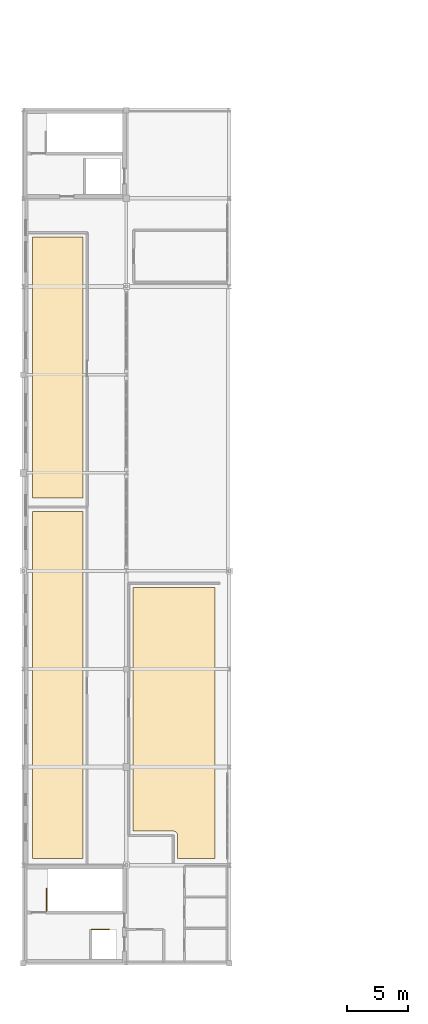
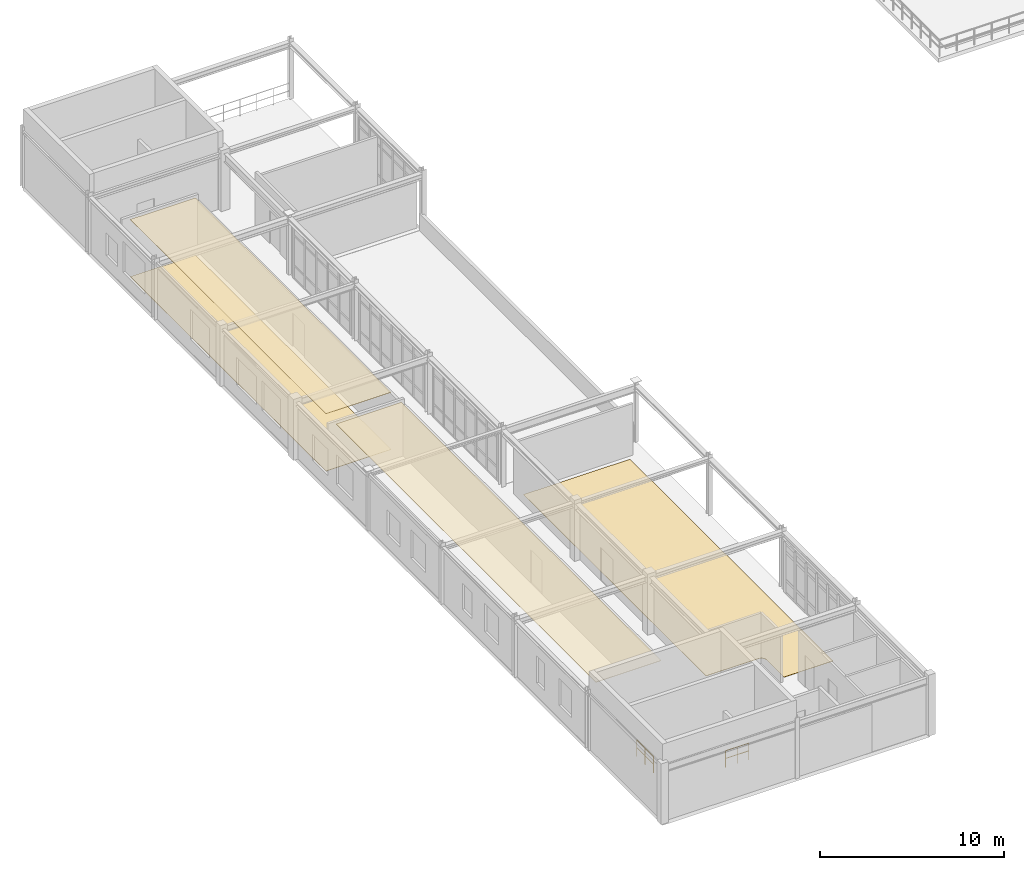
# One storey, part 55 of 58: 4 coverings, 2 railings.
"""IFC4 building model written with IfcOpenShell, lengths in metres."""

import ifcopenshell
import ifcopenshell.guid

model = None  # the IFC model being written
_history = None  # IfcOwnerHistory: only IFC2X3 demands one
_inside = {}  # id of a spatial element -> (the spatial element, [elements in it])
_under = {}  # id of a project, library or spatial element -> (it, [spatial elements below it])
_declared = {}  # id of a project -> (the project, [libraries it declares])
_typed = {}  # id of a type object -> (the type object, [elements of that type])
_made_of = {}  # id of a material, layer set ... -> (it, [elements and type objects made of it])


def new_model(schema):
    """Start an empty IFC model of exactly this schema.

    Asked for "IFC4X3", IfcOpenShell would pick the latest addendum, in which some entities
    have other attributes; the version numbers below select the first issue.
    IFC2X3 requires an IfcOwnerHistory on every rooted entity: one is made here for all.
    """
    global model, _history
    if schema == "IFC4X3":
        model = ifcopenshell.file(schema_version=(4, 3, 0, 0))
    else:
        model = ifcopenshell.file(schema=schema)
    _inside.clear()
    _under.clear()
    _declared.clear()
    _typed.clear()
    _made_of.clear()
    _history = None
    if model.schema == "IFC2X3":
        org = make("IfcOrganization", Name="unknown")
        user = make(
            "IfcPersonAndOrganization",
            ThePerson=make("IfcPerson", FamilyName="unknown"),
            TheOrganization=org,
        )
        app = make(
            "IfcApplication",
            ApplicationDeveloper=org,
            Version="unknown",
            ApplicationFullName="unknown",
            ApplicationIdentifier="unknown",
        )
        _history = make(
            "IfcOwnerHistory",
            OwningUser=user,
            OwningApplication=app,
            ChangeAction="ADDED",
            CreationDate=0,
        )
    return model


def make(cls, **values):
    """One entity of the class cls with the attributes given. An attribute that is None is left unset."""
    return model.create_entity(
        cls, **{name: value for name, value in values.items() if value is not None}
    )


def rooted(cls, **values):
    """An entity with a GlobalId (a new one), such as an element, a storey or a relation."""
    return make(cls, GlobalId=ifcopenshell.guid.new(), OwnerHistory=_history, **values)


def si_unit(unit_type, name, prefix=None):
    """IfcSIUnit, for example si_unit("LENGTHUNIT", "METRE", prefix="MILLI")."""
    return make("IfcSIUnit", UnitType=unit_type, Prefix=prefix, Name=name)


def derived_unit(unit_type, elements):
    """IfcDerivedUnit: a product of units, each with its exponent."""
    return make(
        "IfcDerivedUnit",
        Elements=[
            make("IfcDerivedUnitElement", Unit=unit, Exponent=power)
            for unit, power in elements
        ],
        UnitType=unit_type,
    )


def assignment(units):
    """IfcUnitAssignment: the units of a project."""
    return None if units is None else make("IfcUnitAssignment", Units=units)


def point(xyz):
    """IfcCartesianPoint."""
    return None if xyz is None else make("IfcCartesianPoint", Coordinates=xyz)


def direction(xyz):
    """IfcDirection."""
    return None if xyz is None else make("IfcDirection", DirectionRatios=xyz)


def frame(location, z_axis=None, x_axis=None):
    """IfcAxis2Placement3D, a coordinate frame: its origin and axes. An axis left out is left unset."""
    return make(
        "IfcAxis2Placement3D",
        Location=point(location),
        Axis=direction(z_axis),
        RefDirection=direction(x_axis),
    )


def frame_2d(location, x_axis=None):
    """IfcAxis2Placement2D, a coordinate frame in the plane: its origin and x axis."""
    return make(
        "IfcAxis2Placement2D", Location=point(location), RefDirection=direction(x_axis)
    )


def origin():
    """The frame at (0, 0, 0) with its axes left unset."""
    return frame((0.0, 0.0, 0.0))


def origin_2d():
    """The frame at (0, 0) in the plane with its x axis left unset."""
    return frame_2d((0.0, 0.0))


def place(relative_to, where):
    """IfcLocalPlacement: puts the frame where relative to a parent placement (None: the world)."""
    return make(
        "IfcLocalPlacement", PlacementRelTo=relative_to, RelativePlacement=where
    )


def context(
    kind, dimensions, precision=None, world=None, true_north=None, identifier=None
):
    """IfcGeometricRepresentationContext, for example the 3D "Model" context."""
    return make(
        "IfcGeometricRepresentationContext",
        ContextIdentifier=identifier,
        ContextType=kind,
        CoordinateSpaceDimension=dimensions,
        Precision=precision,
        WorldCoordinateSystem=world,
        TrueNorth=true_north,
    )


def subcontext(parent, identifier, kind, view, scale=None):
    """IfcGeometricRepresentationSubContext, for example "Body" below "Model"."""
    return make(
        "IfcGeometricRepresentationSubContext",
        ContextIdentifier=identifier,
        ContextType=kind,
        ParentContext=parent,
        TargetScale=scale,
        TargetView=view,
    )


def project(units=None, contexts=None):
    """IfcProject with its units and contexts."""
    return rooted(
        "IfcProject",
        Name="project",
        RepresentationContexts=contexts,
        UnitsInContext=assignment(units),
    )


def spatial(cls, under=None, at=None, **own):
    """A site, building, storey or space (cls), placed at a placement, below another one or the project."""
    s = rooted(cls, ObjectPlacement=at, **own)
    if under is not None:
        _under.setdefault(under.id(), (under, []))[1].append(s)
    return s


def polyline(points):
    """IfcPolyline through the points."""
    return make("IfcPolyline", Points=[point(p) for p in points])


def profile(cls, at=None, kind="AREA", **sizes):
    """A parametric profile (cls). Its sizes go by their IFC names, for example OverallWidth=200.0."""
    return make(cls, ProfileType=kind, Position=at, **sizes)


def circle(**sizes):
    """IfcCircleProfileDef."""
    return profile("IfcCircleProfileDef", **sizes)


def outline(outer, holes=None, kind="AREA"):
    """IfcArbitraryClosedProfileDef: a profile drawn as a closed curve; with holes, ...WithVoids."""
    if holes is None:
        return make("IfcArbitraryClosedProfileDef", ProfileType=kind, OuterCurve=outer)
    return make(
        "IfcArbitraryProfileDefWithVoids",
        ProfileType=kind,
        OuterCurve=outer,
        InnerCurves=holes,
    )


def extrude(swept, where, along, depth):
    """IfcExtrudedAreaSolid: the profile swept, set in the frame where, extruded along a direction by depth."""
    return make(
        "IfcExtrudedAreaSolid",
        SweptArea=swept,
        Position=where,
        ExtrudedDirection=direction(along),
        Depth=depth,
    )


def shape(context_of_items, identifier, shape_type, items):
    """IfcShapeRepresentation: the items that make up one representation, for example the "Body"."""
    return make(
        "IfcShapeRepresentation",
        ContextOfItems=context_of_items,
        RepresentationIdentifier=identifier,
        RepresentationType=shape_type,
        Items=items,
    )


def material(Name=None, Category=None):
    """IfcMaterial."""
    return make("IfcMaterial", Name=Name, Category=Category)


def layer(
    of_material, thickness, ventilated=None, Name=None, Category=None, Priority=None
):
    """IfcMaterialLayer: one layer of a wall or slab, of a material (None: an air gap)."""
    return make(
        "IfcMaterialLayer",
        Material=of_material,
        LayerThickness=thickness,
        IsVentilated=ventilated,
        Name=Name,
        Category=Category,
        Priority=Priority,
    )


def layer_set(layers, Name=None):
    """IfcMaterialLayerSet."""
    return make("IfcMaterialLayerSet", MaterialLayers=layers, LayerSetName=Name)


def made_of(thing, what):
    """Note that an element or type object is made of a material, layer set ...; save() writes the relation."""
    if what is not None:
        _made_of.setdefault(what.id(), (what, []))[1].append(thing)
    return thing


def type_object(cls, material=None, **own):
    """A type object (cls), such as IfcWallType, which elements share."""
    return made_of(rooted(cls, **own), material)


def element(
    cls,
    number,
    at=None,
    inside=None,
    cuts=None,
    type_object=None,
    material=None,
    context=None,
    identifier="Body",
    shape_type=None,
    held_by="IfcProductDefinitionShape",
    body=None,
    shapes=None,
    **own,
):
    """One element of the class cls, such as IfcWall. Its Tag is "e" and its number.

    at: its placement. inside: the storey or other place that contains it. cuts: it is an
    opening in that element (IfcRelVoidsElement). A single representation is given by context,
    identifier, shape_type and body (its items); several are given by shapes. held_by: the class
    of the entity that holds the representations. save() writes the other relations.
    """
    e = rooted(cls, Tag="e%d" % number, ObjectPlacement=at, **own)
    if body is not None:
        shapes = [shape(context, identifier, shape_type, body)]
    if shapes is not None:
        e.Representation = make(held_by, Representations=shapes)
    if inside is not None:
        _inside.setdefault(inside.id(), (inside, []))[1].append(e)
    if cuts is not None:
        rooted(
            "IfcRelVoidsElement", RelatingBuildingElement=cuts, RelatedOpeningElement=e
        )
    if type_object is not None:
        _typed.setdefault(type_object.id(), (type_object, []))[1].append(e)
    return made_of(e, material)


def aggregate(whole, parts):
    """IfcRelAggregates: a whole, such as a stair, and the parts it consists of."""
    return rooted("IfcRelAggregates", RelatingObject=whole, RelatedObjects=parts)


def save(model, path):
    """Write the relations noted so far, then the file.

    IfcRelAggregates (storeys below a building ...), IfcRelContainedInSpatialStructure (elements
    in a storey), IfcRelDefinesByType, IfcRelAssociatesMaterial and IfcRelDeclares: one each for
    every whole, place, type object, material and project.
    """
    for whole, parts in _under.values():
        aggregate(whole, parts)
    for where, things in _inside.values():
        rooted(
            "IfcRelContainedInSpatialStructure",
            RelatedElements=things,
            RelatingStructure=where,
        )
    for kind, things in _typed.values():
        rooted("IfcRelDefinesByType", RelatedObjects=things, RelatingType=kind)
    for what, things in _made_of.values():
        rooted("IfcRelAssociatesMaterial", RelatedObjects=things, RelatingMaterial=what)
    for by, libraries in _declared.values():
        rooted("IfcRelDeclares", RelatingContext=by, RelatedDefinitions=libraries)
    model.write(path)


model = new_model("IFC4")

# Units and contexts
model_context = context("Model", 3, precision=1e-05, world=origin(), true_north=direction((0.0, 1.0)))
body_context = subcontext(model_context, "Body", "Model", "MODEL_VIEW")
ifc_project = project(units=[si_unit("LENGTHUNIT", "METRE"), si_unit("AREAUNIT", "SQUARE_METRE"), si_unit("VOLUMEUNIT", "CUBIC_METRE"), si_unit("PLANEANGLEUNIT", "RADIAN"), si_unit("MASSUNIT", "GRAM", prefix="KILO"), derived_unit("THERMALTRANSMITTANCEUNIT", [(si_unit("POWERUNIT", "WATT"), 1), (si_unit("AREAUNIT", "SQUARE_METRE"), -1), (si_unit("THERMODYNAMICTEMPERATUREUNIT", "KELVIN"), -1)])], contexts=[model_context])

# Site, building, storey
site_placement = place(None, origin())
site = spatial("IfcSite", under=ifc_project, at=site_placement, CompositionType="ELEMENT")
building_placement = place(site_placement, origin())
building = spatial("IfcBuilding", under=site, at=building_placement, Name="Yasenodar Specialist Clinic", CompositionType="ELEMENT")
storey_placement = place(building_placement, frame((0.0, 0.0, 21.300048828125)))
storey = spatial("IfcBuildingStorey", under=building, at=storey_placement, Name="L05", CompositionType="ELEMENT", Elevation=21.300048828125)

# Coverings
ifc_material_1 = material(Name="Hygienic Acoustic Mineral-Fibre Ceiling")
ifc_layer_1 = layer(ifc_material_1, 0.02490234375)
ifc_layer_set_1 = layer_set([ifc_layer_1], Name="Hygienic Acoustic Mineral-Fibre Ceiling")
covering_type_1 = type_object("IfcCoveringType", Name="COV-CEIL-AC", PredefinedType="CEILING", material=ifc_layer_set_1)
covering_1_placement = place(storey_placement, frame((0.0, 0.0, 3.800048828125)))
element("IfcCovering", 1, at=covering_1_placement, inside=storey, type_object=covering_type_1, Name="L05 Clinical Genetics Counseling Suite Acoustic Ceiling", PredefinedType="CEILING", context=body_context, shape_type="SweptSolid", body=[
    extrude(outline(polyline([(4.85009765625, 43.35009765625), (0.75, 43.35009765625), (0.75, 71.64990234375), (4.85009765625, 71.64990234375), (4.85009765625, 43.35009765625)])), origin(), (0.0, 0.0, 1.0), 0.02490234375),
])
covering_2_placement = place(storey_placement, frame((0.0, 0.0, 3.800048828125)))
element("IfcCovering", 2, at=covering_2_placement, inside=storey, type_object=covering_type_1, Name="L05 Cardiopulmonary Wellness Consulting Acoustic Ceiling", PredefinedType="CEILING", context=body_context, shape_type="SweptSolid", body=[
    extrude(outline(polyline([(4.85009765625, 72.75), (0.75, 72.75), (0.75, 94.050048828125), (4.85009765625, 94.050048828125), (4.85009765625, 72.75)])), origin(), (0.0, 0.0, 1.0), 0.02490234375),
])
ifc_material_2 = material(Name="Seamless Epoxy Terrazzo Clinical Flooring")
ifc_layer_2 = layer(ifc_material_2, 0.02001953125)
ifc_layer_set_2 = layer_set([ifc_layer_2], Name="Seamless Epoxy Terrazzo Clinical Flooring")
covering_type_2 = type_object("IfcCoveringType", Name="COV-FLR-TERR", PredefinedType="FLOORING", material=ifc_layer_set_2)
covering_3_placement = place(storey_placement, origin())
element("IfcCovering", 3, at=covering_3_placement, inside=storey, type_object=covering_type_2, Name="L05 Cardiopulmonary Wellness Consulting Terrazzo Flooring", PredefinedType="FLOORING", context=body_context, shape_type="SweptSolid", body=[
    extrude(outline(polyline([(4.85009765625, 72.75), (0.75, 72.75), (0.75, 94.050048828125), (4.85009765625, 94.050048828125), (4.85009765625, 72.75)])), origin(), (0.0, 0.0, 1.0), 0.02001953125),
])
covering_4_placement = place(storey_placement, origin())
element("IfcCovering", 4, at=covering_4_placement, inside=storey, type_object=covering_type_2, Name="L05 Preventive Health Screening Clinic Terrazzo Flooring", PredefinedType="FLOORING", context=body_context, shape_type="SweptSolid", body=[
    extrude(outline(polyline([(15.64990234375, 43.35009765625), (12.570068359375, 43.35009765625), (12.570068359375, 45.219970703125), (12.568115234375, 45.25390625), (12.56298828125, 45.2880859375), (12.554931640625, 45.322021484375), (12.54296875, 45.35400390625), (12.529052734375, 45.385009765625), (12.510986328125, 45.4140625), (12.490966796875, 45.44189453125), (12.467041015625, 45.467041015625), (12.44189453125, 45.490966796875), (12.4140625, 45.510986328125), (12.385009765625, 45.529052734375), (12.35400390625, 45.54296875), (12.322021484375, 45.554931640625), (12.2880859375, 45.56298828125), (12.25390625, 45.568115234375), (12.219970703125, 45.570068359375), (8.949951171875, 45.570068359375), (8.949951171875, 65.449951171875), (15.64990234375, 65.449951171875), (15.64990234375, 43.35009765625)])), origin(), (0.0, 0.0, 1.0), 0.02001953125),
])

# Railings
ifc_material_3 = material(Name="Steel S355 Painted Guardrail", Category="steel")
railing_type_1 = type_object("IfcRailingType", Name="RL-GRD-1120", PredefinedType="GUARDRAIL", material=ifc_material_3)
railing_1_placement = place(storey_placement, frame((5.550048828125, 37.56005859375, 0.0)))
element("IfcRailing", 5, at=railing_1_placement, inside=storey, type_object=railing_type_1, Name="L05 Core C1 Lift LF-01 Shaft Guardrail", PredefinedType="GUARDRAIL", context=body_context, shape_type="SweptSolid", body=[
    extrude(circle(Radius=0.02392578125, at=origin_2d()), frame((0.0, 0.0, 1.09619140625), z_axis=(1.0, 0.0, 0.0), x_axis=(0.0, 1.0, 0.0)), (0.0, 0.0, 1.0), 1.4599609375),
    extrude(circle(Radius=0.02392578125, at=origin_2d()), frame((0.0, 0.0, 0.58251953125), z_axis=(1.0, 0.0, 0.0), x_axis=(0.0, 1.0, 0.0)), (0.0, 0.0, 1.0), 1.4599609375),
    extrude(circle(Radius=0.02099609375, at=origin_2d()), origin(), (0.0, 0.0, 1.0), 1.072021484375),
    extrude(circle(Radius=0.02099609375, at=origin_2d()), frame((0.72998046875, 0.0, 0.0)), (0.0, 0.0, 1.0), 1.072021484375),
    extrude(circle(Radius=0.02099609375, at=origin_2d()), frame((1.4599609375, 0.0, 0.0)), (0.0, 0.0, 1.0), 1.072021484375),
])
ifc_material_4 = material(Name="Steel S355 Painted Stair Guardrail", Category="steel")
railing_type_2 = type_object("IfcRailingType", Name="RL-ST-GRD", PredefinedType="GUARDRAIL", material=ifc_material_4)
railing_2_placement = place(storey_placement, frame((1.8798828125, 39.06005859375, 0.0)))
element("IfcRailing", 6, at=railing_2_placement, inside=storey, type_object=railing_type_2, Name="L05 ST-01 top well guard 1", PredefinedType="GUARDRAIL", context=body_context, shape_type="SweptSolid", body=[
    extrude(circle(Radius=0.02392578125, at=origin_2d()), frame((0.0, 0.0, 1.09619140625), z_axis=(0.0, 1.0, 0.0), x_axis=(-1.0, 0.0, 0.0)), (0.0, 0.0, 1.0), 1.81982421875),
    extrude(circle(Radius=0.02392578125, at=origin_2d()), frame((0.0, 0.0, 0.58251953125), z_axis=(0.0, 1.0, 0.0), x_axis=(-1.0, 0.0, 0.0)), (0.0, 0.0, 1.0), 1.81982421875),
    extrude(circle(Radius=0.02099609375, at=origin_2d()), origin(), (0.0, 0.0, 1.0), 1.072021484375),
    extrude(circle(Radius=0.02099609375, at=origin_2d()), frame((0.0, 0.909912109375, 0.0)), (0.0, 0.0, 1.0), 1.072021484375),
    extrude(circle(Radius=0.02099609375, at=origin_2d()), frame((0.0, 1.81982421875, 0.0)), (0.0, 0.0, 1.0), 1.072021484375),
])

save(model, "model.ifc")
